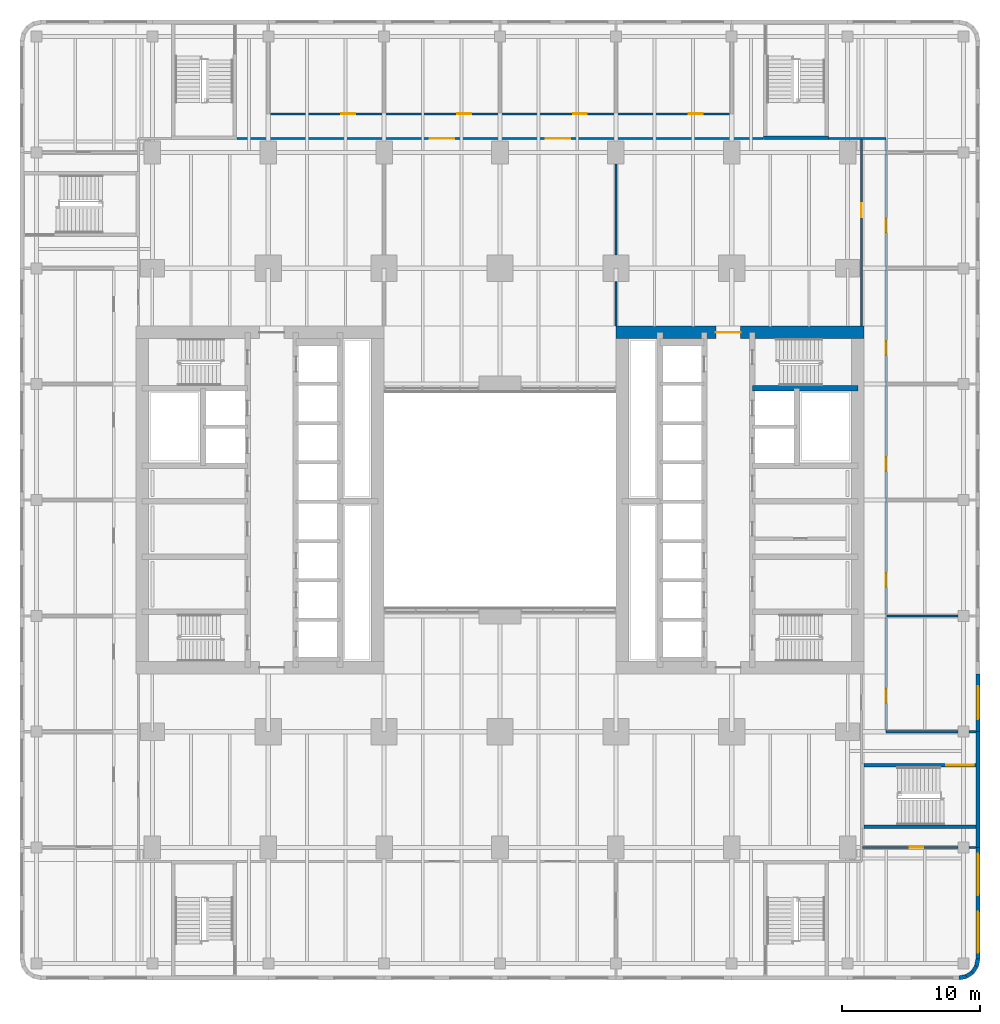
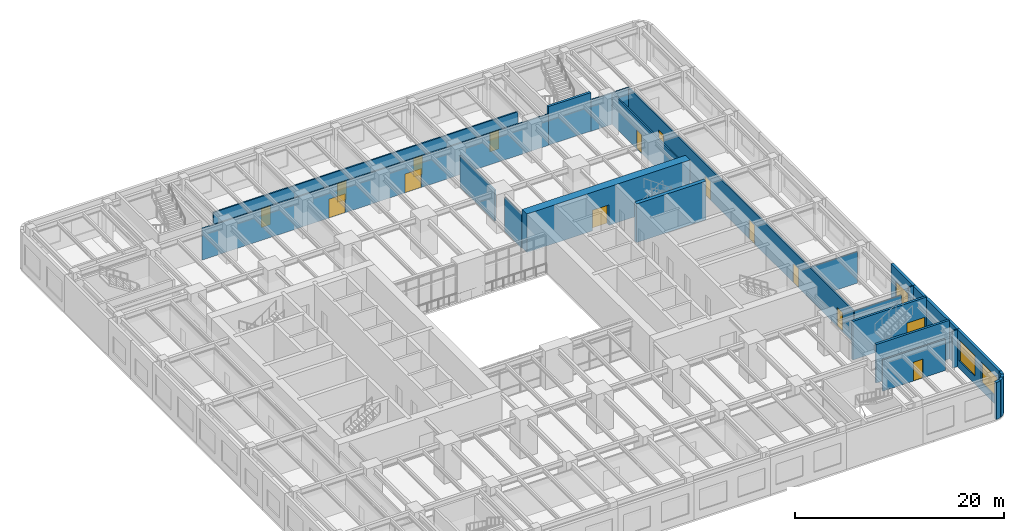
# One storey, part 13 of 26: 24 walls, 15 doors, 3 windows, 18 openings.
"""IFC4 building model written with IfcOpenShell, lengths in metres."""

import ifcopenshell
import ifcopenshell.guid

model = None  # the IFC model being written
_history = None  # IfcOwnerHistory: only IFC2X3 demands one
_inside = {}  # id of a spatial element -> (the spatial element, [elements in it])
_under = {}  # id of a project, library or spatial element -> (it, [spatial elements below it])
_declared = {}  # id of a project -> (the project, [libraries it declares])
_typed = {}  # id of a type object -> (the type object, [elements of that type])
_made_of = {}  # id of a material, layer set ... -> (it, [elements and type objects made of it])


def new_model(schema):
    """Start an empty IFC model of exactly this schema.

    Asked for "IFC4X3", IfcOpenShell would pick the latest addendum, in which some entities
    have other attributes; the version numbers below select the first issue.
    IFC2X3 requires an IfcOwnerHistory on every rooted entity: one is made here for all.
    """
    global model, _history
    if schema == "IFC4X3":
        model = ifcopenshell.file(schema_version=(4, 3, 0, 0))
    else:
        model = ifcopenshell.file(schema=schema)
    _inside.clear()
    _under.clear()
    _declared.clear()
    _typed.clear()
    _made_of.clear()
    _history = None
    if model.schema == "IFC2X3":
        org = make("IfcOrganization", Name="unknown")
        user = make(
            "IfcPersonAndOrganization",
            ThePerson=make("IfcPerson", FamilyName="unknown"),
            TheOrganization=org,
        )
        app = make(
            "IfcApplication",
            ApplicationDeveloper=org,
            Version="unknown",
            ApplicationFullName="unknown",
            ApplicationIdentifier="unknown",
        )
        _history = make(
            "IfcOwnerHistory",
            OwningUser=user,
            OwningApplication=app,
            ChangeAction="ADDED",
            CreationDate=0,
        )
    return model


def make(cls, **values):
    """One entity of the class cls with the attributes given. An attribute that is None is left unset."""
    return model.create_entity(
        cls, **{name: value for name, value in values.items() if value is not None}
    )


def rooted(cls, **values):
    """An entity with a GlobalId (a new one), such as an element, a storey or a relation."""
    return make(cls, GlobalId=ifcopenshell.guid.new(), OwnerHistory=_history, **values)


def si_unit(unit_type, name, prefix=None):
    """IfcSIUnit, for example si_unit("LENGTHUNIT", "METRE", prefix="MILLI")."""
    return make("IfcSIUnit", UnitType=unit_type, Prefix=prefix, Name=name)


def assignment(units):
    """IfcUnitAssignment: the units of a project."""
    return None if units is None else make("IfcUnitAssignment", Units=units)


def point(xyz):
    """IfcCartesianPoint."""
    return None if xyz is None else make("IfcCartesianPoint", Coordinates=xyz)


def direction(xyz):
    """IfcDirection."""
    return None if xyz is None else make("IfcDirection", DirectionRatios=xyz)


def frame(location, z_axis=None, x_axis=None):
    """IfcAxis2Placement3D, a coordinate frame: its origin and axes. An axis left out is left unset."""
    return make(
        "IfcAxis2Placement3D",
        Location=point(location),
        Axis=direction(z_axis),
        RefDirection=direction(x_axis),
    )


def frame_2d(location, x_axis=None):
    """IfcAxis2Placement2D, a coordinate frame in the plane: its origin and x axis."""
    return make(
        "IfcAxis2Placement2D", Location=point(location), RefDirection=direction(x_axis)
    )


def origin():
    """The frame at (0, 0, 0) with its axes left unset."""
    return frame((0.0, 0.0, 0.0))


def place(relative_to, where):
    """IfcLocalPlacement: puts the frame where relative to a parent placement (None: the world)."""
    return make(
        "IfcLocalPlacement", PlacementRelTo=relative_to, RelativePlacement=where
    )


def context(
    kind, dimensions, precision=None, world=None, true_north=None, identifier=None
):
    """IfcGeometricRepresentationContext, for example the 3D "Model" context."""
    return make(
        "IfcGeometricRepresentationContext",
        ContextIdentifier=identifier,
        ContextType=kind,
        CoordinateSpaceDimension=dimensions,
        Precision=precision,
        WorldCoordinateSystem=world,
        TrueNorth=true_north,
    )


def subcontext(parent, identifier, kind, view, scale=None):
    """IfcGeometricRepresentationSubContext, for example "Body" below "Model"."""
    return make(
        "IfcGeometricRepresentationSubContext",
        ContextIdentifier=identifier,
        ContextType=kind,
        ParentContext=parent,
        TargetScale=scale,
        TargetView=view,
    )


def project(units=None, contexts=None):
    """IfcProject with its units and contexts."""
    return rooted(
        "IfcProject",
        Name="project",
        RepresentationContexts=contexts,
        UnitsInContext=assignment(units),
    )


def spatial(cls, under=None, at=None, **own):
    """A site, building, storey or space (cls), placed at a placement, below another one or the project."""
    s = rooted(cls, ObjectPlacement=at, **own)
    if under is not None:
        _under.setdefault(under.id(), (under, []))[1].append(s)
    return s


def profile(cls, at=None, kind="AREA", **sizes):
    """A parametric profile (cls). Its sizes go by their IFC names, for example OverallWidth=200.0."""
    return make(cls, ProfileType=kind, Position=at, **sizes)


def rectangle(**sizes):
    """IfcRectangleProfileDef."""
    return profile("IfcRectangleProfileDef", **sizes)


def extrude(swept, where, along, depth):
    """IfcExtrudedAreaSolid: the profile swept, set in the frame where, extruded along a direction by depth."""
    return make(
        "IfcExtrudedAreaSolid",
        SweptArea=swept,
        Position=where,
        ExtrudedDirection=direction(along),
        Depth=depth,
    )


def shape(context_of_items, identifier, shape_type, items):
    """IfcShapeRepresentation: the items that make up one representation, for example the "Body"."""
    return make(
        "IfcShapeRepresentation",
        ContextOfItems=context_of_items,
        RepresentationIdentifier=identifier,
        RepresentationType=shape_type,
        Items=items,
    )


def material(Name=None, Category=None):
    """IfcMaterial."""
    return make("IfcMaterial", Name=Name, Category=Category)


def layer(
    of_material, thickness, ventilated=None, Name=None, Category=None, Priority=None
):
    """IfcMaterialLayer: one layer of a wall or slab, of a material (None: an air gap)."""
    return make(
        "IfcMaterialLayer",
        Material=of_material,
        LayerThickness=thickness,
        IsVentilated=ventilated,
        Name=Name,
        Category=Category,
        Priority=Priority,
    )


def layer_set(layers, Name=None):
    """IfcMaterialLayerSet."""
    return make("IfcMaterialLayerSet", MaterialLayers=layers, LayerSetName=Name)


def made_of(thing, what):
    """Note that an element or type object is made of a material, layer set ...; save() writes the relation."""
    if what is not None:
        _made_of.setdefault(what.id(), (what, []))[1].append(thing)
    return thing


def type_object(cls, material=None, **own):
    """A type object (cls), such as IfcWallType, which elements share."""
    return made_of(rooted(cls, **own), material)


def element(
    cls,
    number,
    at=None,
    inside=None,
    cuts=None,
    type_object=None,
    material=None,
    context=None,
    identifier="Body",
    shape_type=None,
    held_by="IfcProductDefinitionShape",
    body=None,
    shapes=None,
    **own,
):
    """One element of the class cls, such as IfcWall. Its Tag is "e" and its number.

    at: its placement. inside: the storey or other place that contains it. cuts: it is an
    opening in that element (IfcRelVoidsElement). A single representation is given by context,
    identifier, shape_type and body (its items); several are given by shapes. held_by: the class
    of the entity that holds the representations. save() writes the other relations.
    """
    e = rooted(cls, Tag="e%d" % number, ObjectPlacement=at, **own)
    if body is not None:
        shapes = [shape(context, identifier, shape_type, body)]
    if shapes is not None:
        e.Representation = make(held_by, Representations=shapes)
    if inside is not None:
        _inside.setdefault(inside.id(), (inside, []))[1].append(e)
    if cuts is not None:
        rooted(
            "IfcRelVoidsElement", RelatingBuildingElement=cuts, RelatedOpeningElement=e
        )
    if type_object is not None:
        _typed.setdefault(type_object.id(), (type_object, []))[1].append(e)
    return made_of(e, material)


def fill(opening, filler):
    """IfcRelFillsElement: the door or window that sits in an opening."""
    return rooted(
        "IfcRelFillsElement",
        RelatingOpeningElement=opening,
        RelatedBuildingElement=filler,
    )


def aggregate(whole, parts):
    """IfcRelAggregates: a whole, such as a stair, and the parts it consists of."""
    return rooted("IfcRelAggregates", RelatingObject=whole, RelatedObjects=parts)


def save(model, path):
    """Write the relations noted so far, then the file.

    IfcRelAggregates (storeys below a building ...), IfcRelContainedInSpatialStructure (elements
    in a storey), IfcRelDefinesByType, IfcRelAssociatesMaterial and IfcRelDeclares: one each for
    every whole, place, type object, material and project.
    """
    for whole, parts in _under.values():
        aggregate(whole, parts)
    for where, things in _inside.values():
        rooted(
            "IfcRelContainedInSpatialStructure",
            RelatedElements=things,
            RelatingStructure=where,
        )
    for kind, things in _typed.values():
        rooted("IfcRelDefinesByType", RelatedObjects=things, RelatingType=kind)
    for what, things in _made_of.values():
        rooted("IfcRelAssociatesMaterial", RelatedObjects=things, RelatingMaterial=what)
    for by, libraries in _declared.values():
        rooted("IfcRelDeclares", RelatingContext=by, RelatedDefinitions=libraries)
    model.write(path)


model = new_model("IFC4")

# Units and contexts
model_context = context("Model", 3, precision=1e-05, world=origin(), true_north=direction((0.0, 1.0)))
body_context = subcontext(model_context, "Body", "Model", "MODEL_VIEW")
ifc_project = project(units=[si_unit("LENGTHUNIT", "METRE"), si_unit("AREAUNIT", "SQUARE_METRE"), si_unit("VOLUMEUNIT", "CUBIC_METRE"), si_unit("PLANEANGLEUNIT", "RADIAN"), si_unit("MASSUNIT", "GRAM", prefix="KILO")], contexts=[model_context])

# Site, building, storey
site_placement = place(None, origin())
site = spatial("IfcSite", under=ifc_project, at=site_placement, CompositionType="ELEMENT")
building_placement = place(site_placement, origin())
building = spatial("IfcBuilding", under=site, at=building_placement, Name="Claustro Exchange Tower", CompositionType="ELEMENT")
storey_placement = place(building_placement, frame((0.0, 0.0, 9.89990234375)))
storey = spatial("IfcBuildingStorey", under=building, at=storey_placement, Name="L02", CompositionType="ELEMENT", Elevation=9.89990234375)

# Wall, opening, door
ifc_material_1 = material(Name="Gypsum board on steel studs", Category="steel")
ifc_layer_1 = layer(ifc_material_1, 0.14990234375)
ifc_layer_set_1 = layer_set([ifc_layer_1], Name="Gypsum board on steel studs")
wall_type_1 = type_object("IfcWallType", Name="P1 150 plasterboard partition", PredefinedType="PARTITIONING", material=ifc_layer_set_1)
wall_1_placement = place(storey_placement, frame((51.47412109375, 0.0, 0.0), z_axis=(0.0, 0.0, 1.0), x_axis=(1.0, 0.0, 0.0)))
wall_1 = element("IfcWall", 1, at=wall_1_placement, inside=storey, type_object=wall_type_1, Name="Partition P1 L02", PredefinedType="PARTITIONING", context=body_context, shape_type="SweptSolid", body=[
    extrude(rectangle(XDim=6.9267578125, YDim=0.14990234375, at=frame_2d((3.46337890625, 0.0))), origin(), (0.0, 0.0, 1.0), 3.650146484375),
])
opening_1_placement = place(wall_1_placement, frame((3.426025390625, 0.0, 0.0)))
opening_1 = element("IfcOpeningElement", 2, at=opening_1_placement, cuts=wall_1, Name="Opening D1", PredefinedType="OPENING", context=body_context, shape_type="SweptSolid", body=[
    extrude(rectangle(XDim=1.0, YDim=2.199951171875, at=frame_2d((0.5, 1.10009765625))), frame((0.0, 0.0849609375, 0.0), z_axis=(0.0, -1.0, 0.0), x_axis=(1.0, 0.0, 0.0)), (0.0, 0.0, 1.0), 0.169921875),
])
ifc_material_2 = material(Name="Timber door, oak veneer", Category="wood")
door_type_1 = type_object("IfcDoorType", Name="D1 1000 x 2200 single door", OperationType="SINGLE_SWING_LEFT", PredefinedType="DOOR", material=ifc_material_2)
door_1_placement = place(opening_1_placement, origin())
door_1 = element("IfcDoor", 3, at=door_1_placement, inside=storey, type_object=door_type_1, Name="Door D1 L02", OperationType="SINGLE_SWING_LEFT", OverallHeight=2.199951171875, OverallWidth=1.0, PredefinedType="DOOR", context=body_context, shape_type="SweptSolid", body=[
    extrude(rectangle(XDim=1.0, YDim=2.199951171875, at=frame_2d((0.5, 1.10009765625))), frame((0.0, 0.02490234375, 0.0), z_axis=(0.0, -1.0, 0.0), x_axis=(1.0, 0.0, 0.0)), (0.0, 0.0, 1.0), 0.050048828125),
])
fill(opening_1, door_1)

# Wall
wall_2_placement = place(storey_placement, frame((59.198974609375, 0.0, 0.0), z_axis=(0.0, 0.0, 1.0), x_axis=(1.0, 0.0, 0.0)))
element("IfcWall", 4, at=wall_2_placement, inside=storey, type_object=wall_type_1, Name="Partition P1 L02", PredefinedType="PARTITIONING", context=body_context, shape_type="SweptSolid", body=[
    extrude(rectangle(XDim=0.5029296875, YDim=0.14990234375, at=frame_2d((0.25146484375, 0.0))), origin(), (0.0, 0.0, 1.0), 4.300048828125),
])

# Wall, openings, doors
wall_3_placement = place(storey_placement, frame((6.1201171875, 51.39990234375, 0.0), z_axis=(0.0, 0.0, 1.0), x_axis=(1.0, 0.0, 0.0)))
wall_3 = element("IfcWall", 5, at=wall_3_placement, inside=storey, type_object=wall_type_1, Name="Partition P1 L02", PredefinedType="PARTITIONING", context=body_context, shape_type="SweptSolid", body=[
    extrude(rectangle(XDim=38.159912109375, YDim=0.14990234375, at=frame_2d((19.080078125, 0.0))), origin(), (0.0, 0.0, 1.0), 3.650146484375),
])
opening_2_placement = place(wall_3_placement, frame((13.97998046875, 0.0, 0.0)))
opening_2 = element("IfcOpeningElement", 6, at=opening_2_placement, cuts=wall_3, Name="Opening D2", PredefinedType="OPENING", context=body_context, shape_type="SweptSolid", body=[
    extrude(rectangle(XDim=1.800048828125, YDim=2.199951171875, at=frame_2d((0.89990234375, 1.10009765625))), frame((0.0, 0.0849609375, 0.0), z_axis=(0.0, -1.0, 0.0), x_axis=(1.0, 0.0, 0.0)), (0.0, 0.0, 1.0), 0.169921875),
])
opening_3_placement = place(wall_3_placement, frame((22.3798828125, 0.0, 0.0)))
opening_3 = element("IfcOpeningElement", 7, at=opening_3_placement, cuts=wall_3, Name="Opening D2", PredefinedType="OPENING", context=body_context, shape_type="SweptSolid", body=[
    extrude(rectangle(XDim=1.800048828125, YDim=2.199951171875, at=frame_2d((0.89990234375, 1.10009765625))), frame((0.0, 0.0849609375, 0.0), z_axis=(0.0, -1.0, 0.0), x_axis=(1.0, 0.0, 0.0)), (0.0, 0.0, 1.0), 0.169921875),
])
ifc_material_3 = material(Name="Timber door, oak veneer", Category="wood")
door_type_2 = type_object("IfcDoorType", Name="D2 1800 x 2200 double door", OperationType="DOUBLE_DOOR_SINGLE_SWING", PredefinedType="DOOR", material=ifc_material_3)
door_2_placement = place(opening_2_placement, frame((1.800048828125, 0.0, 0.0), z_axis=(0.0, 0.0, 1.0), x_axis=(-1.0, 0.0, 0.0)))
door_2 = element("IfcDoor", 8, at=door_2_placement, inside=storey, type_object=door_type_2, Name="Double door D2 L02", OperationType="DOUBLE_DOOR_SINGLE_SWING", OverallHeight=2.199951171875, OverallWidth=1.800048828125, PredefinedType="DOOR", context=body_context, shape_type="SweptSolid", body=[
    extrude(rectangle(XDim=1.800048828125, YDim=2.199951171875, at=frame_2d((0.89990234375, 1.10009765625))), frame((0.0, 0.02490234375, 0.0), z_axis=(0.0, -1.0, 0.0), x_axis=(1.0, 0.0, 0.0)), (0.0, 0.0, 1.0), 0.050048828125),
])
fill(opening_2, door_2)
door_3_placement = place(opening_3_placement, frame((1.800048828125, 0.0, 0.0), z_axis=(0.0, 0.0, 1.0), x_axis=(-1.0, 0.0, 0.0)))
door_3 = element("IfcDoor", 9, at=door_3_placement, inside=storey, type_object=door_type_2, Name="Double door D2 L02", OperationType="DOUBLE_DOOR_SINGLE_SWING", OverallHeight=2.199951171875, OverallWidth=1.800048828125, PredefinedType="DOOR", context=body_context, shape_type="SweptSolid", body=[
    extrude(rectangle(XDim=1.800048828125, YDim=2.199951171875, at=frame_2d((0.89990234375, 1.10009765625))), frame((0.0, 0.02490234375, 0.0), z_axis=(0.0, -1.0, 0.0), x_axis=(1.0, 0.0, 0.0)), (0.0, 0.0, 1.0), 0.050048828125),
])
fill(opening_3, door_3)

# Wall
wall_4_placement = place(storey_placement, frame((49.02001953125, 51.39990234375, 0.0), z_axis=(0.0, 0.0, 1.0), x_axis=(1.0, 0.0, 0.0)))
element("IfcWall", 10, at=wall_4_placement, inside=storey, type_object=wall_type_1, Name="Partition P1 L02", PredefinedType="PARTITIONING", context=body_context, shape_type="SweptSolid", body=[
    extrude(rectangle(XDim=4.179931640625, YDim=0.14990234375, at=frame_2d((2.08984375, 0.0))), origin(), (0.0, 0.0, 1.0), 3.650146484375),
])

# Wall, opening, door
wall_5_placement = place(storey_placement, frame((51.39990234375, 37.800048828125, 0.0), z_axis=(0.0, 0.0, 1.0), x_axis=(0.0, 1.0, 0.0)))
wall_5 = element("IfcWall", 11, at=wall_5_placement, inside=storey, type_object=wall_type_1, Name="Partition P1 L02", PredefinedType="PARTITIONING", context=body_context, shape_type="SweptSolid", body=[
    extrude(rectangle(XDim=13.52587890625, YDim=0.14990234375, at=frame_2d((6.762939453125, 0.0))), origin(), (0.0, 0.0, 1.0), 3.650146484375),
])
opening_4_placement = place(wall_5_placement, frame((7.89990234375, 0.0, 0.0)))
opening_4 = element("IfcOpeningElement", 12, at=opening_4_placement, cuts=wall_5, Name="Opening D1", PredefinedType="OPENING", context=body_context, shape_type="SweptSolid", body=[
    extrude(rectangle(XDim=1.0, YDim=2.199951171875, at=frame_2d((0.5, 1.10009765625))), frame((0.0, 0.0849609375, 0.0), z_axis=(0.0, -1.0, 0.0), x_axis=(1.0, 0.0, 0.0)), (0.0, 0.0, 1.0), 0.169921875),
])
door_4_placement = place(opening_4_placement, origin())
door_4 = element("IfcDoor", 13, at=door_4_placement, inside=storey, type_object=door_type_1, Name="Door D1 L02", OperationType="SINGLE_SWING_RIGHT", OverallHeight=2.199951171875, OverallWidth=1.0, PredefinedType="DOOR", context=body_context, shape_type="SweptSolid", body=[
    extrude(rectangle(XDim=1.0, YDim=2.199951171875, at=frame_2d((0.5, 1.10009765625))), frame((0.0, 0.02490234375, 0.0), z_axis=(0.0, -1.0, 0.0), x_axis=(1.0, 0.0, 0.0)), (0.0, 0.0, 1.0), 0.050048828125),
])
fill(opening_4, door_4)

# Walls
wall_6_placement = place(storey_placement, frame((33.60009765625, 37.820068359375, 0.0), z_axis=(0.0, 0.0, 1.0), x_axis=(0.0, 1.0, 0.0)))
element("IfcWall", 14, at=wall_6_placement, inside=storey, type_object=wall_type_1, Name="Partition P1 L02", PredefinedType="PARTITIONING", context=body_context, shape_type="SweptSolid", body=[
    extrude(rectangle(XDim=3.23095703125, YDim=0.14990234375, at=frame_2d((1.615478515625, 0.0))), origin(), (0.0, 0.0, 1.0), 3.940185546875),
])
wall_7_placement = place(storey_placement, frame((33.60009765625, 42.948974609375, 0.0), z_axis=(0.0, 0.0, 1.0), x_axis=(0.0, 1.0, 0.0)))
element("IfcWall", 15, at=wall_7_placement, inside=storey, type_object=wall_type_1, Name="Partition P1 L02", PredefinedType="PARTITIONING", context=body_context, shape_type="SweptSolid", body=[
    extrude(rectangle(XDim=6.626953125, YDim=0.14990234375, at=frame_2d((3.3134765625, 0.0))), origin(), (0.0, 0.0, 1.0), 3.650146484375),
])

# Wall, openings, doors
wall_8_placement = place(storey_placement, frame((8.39990234375, 53.199951171875, 0.0), z_axis=(0.0, 0.0, 1.0), x_axis=(1.0, 0.0, 0.0)))
wall_8 = element("IfcWall", 16, at=wall_8_placement, inside=storey, type_object=wall_type_1, Name="Partition P1 L02", PredefinedType="PARTITIONING", context=body_context, shape_type="SweptSolid", body=[
    extrude(rectangle(XDim=33.60009765625, YDim=0.14990234375, at=frame_2d((16.800048828125, 0.0))), origin(), (0.0, 0.0, 1.0), 3.650146484375),
])
opening_5_placement = place(wall_8_placement, frame((5.300048828125, 0.0, 0.0)))
opening_5 = element("IfcOpeningElement", 17, at=opening_5_placement, cuts=wall_8, Name="Opening D1", PredefinedType="OPENING", context=body_context, shape_type="SweptSolid", body=[
    extrude(rectangle(XDim=1.0, YDim=2.199951171875, at=frame_2d((0.5, 1.10009765625))), frame((0.0, 0.0849609375, 0.0), z_axis=(0.0, -1.0, 0.0), x_axis=(1.0, 0.0, 0.0)), (0.0, 0.0, 1.0), 0.169921875),
])
opening_6_placement = place(wall_8_placement, frame((13.699951171875, 0.0, 0.0)))
opening_6 = element("IfcOpeningElement", 18, at=opening_6_placement, cuts=wall_8, Name="Opening D1", PredefinedType="OPENING", context=body_context, shape_type="SweptSolid", body=[
    extrude(rectangle(XDim=1.0, YDim=2.199951171875, at=frame_2d((0.5, 1.10009765625))), frame((0.0, 0.0849609375, 0.0), z_axis=(0.0, -1.0, 0.0), x_axis=(1.0, 0.0, 0.0)), (0.0, 0.0, 1.0), 0.169921875),
])
opening_7_placement = place(wall_8_placement, frame((22.10009765625, 0.0, 0.0)))
opening_7 = element("IfcOpeningElement", 19, at=opening_7_placement, cuts=wall_8, Name="Opening D1", PredefinedType="OPENING", context=body_context, shape_type="SweptSolid", body=[
    extrude(rectangle(XDim=1.0, YDim=2.199951171875, at=frame_2d((0.5, 1.10009765625))), frame((0.0, 0.0849609375, 0.0), z_axis=(0.0, -1.0, 0.0), x_axis=(1.0, 0.0, 0.0)), (0.0, 0.0, 1.0), 0.169921875),
])
opening_8_placement = place(wall_8_placement, frame((30.5, 0.0, 0.0)))
opening_8 = element("IfcOpeningElement", 20, at=opening_8_placement, cuts=wall_8, Name="Opening D1", PredefinedType="OPENING", context=body_context, shape_type="SweptSolid", body=[
    extrude(rectangle(XDim=1.0, YDim=2.199951171875, at=frame_2d((0.5, 1.10009765625))), frame((0.0, 0.0849609375, 0.0), z_axis=(0.0, -1.0, 0.0), x_axis=(1.0, 0.0, 0.0)), (0.0, 0.0, 1.0), 0.169921875),
])
door_5_placement = place(opening_5_placement, frame((1.0, 0.0, 0.0), z_axis=(0.0, 0.0, 1.0), x_axis=(-1.0, 0.0, 0.0)))
door_5 = element("IfcDoor", 21, at=door_5_placement, inside=storey, type_object=door_type_1, Name="Door D1 L02", OperationType="SINGLE_SWING_LEFT", OverallHeight=2.199951171875, OverallWidth=1.0, PredefinedType="DOOR", context=body_context, shape_type="SweptSolid", body=[
    extrude(rectangle(XDim=1.0, YDim=2.199951171875, at=frame_2d((0.5, 1.10009765625))), frame((0.0, 0.02490234375, 0.0), z_axis=(0.0, -1.0, 0.0), x_axis=(1.0, 0.0, 0.0)), (0.0, 0.0, 1.0), 0.050048828125),
])
fill(opening_5, door_5)
door_6_placement = place(opening_6_placement, frame((1.0, 0.0, 0.0), z_axis=(0.0, 0.0, 1.0), x_axis=(-1.0, 0.0, 0.0)))
door_6 = element("IfcDoor", 22, at=door_6_placement, inside=storey, type_object=door_type_1, Name="Door D1 L02", OperationType="SINGLE_SWING_LEFT", OverallHeight=2.199951171875, OverallWidth=1.0, PredefinedType="DOOR", context=body_context, shape_type="SweptSolid", body=[
    extrude(rectangle(XDim=1.0, YDim=2.199951171875, at=frame_2d((0.5, 1.10009765625))), frame((0.0, 0.02490234375, 0.0), z_axis=(0.0, -1.0, 0.0), x_axis=(1.0, 0.0, 0.0)), (0.0, 0.0, 1.0), 0.050048828125),
])
fill(opening_6, door_6)
door_7_placement = place(opening_7_placement, frame((1.0, 0.0, 0.0), z_axis=(0.0, 0.0, 1.0), x_axis=(-1.0, 0.0, 0.0)))
door_7 = element("IfcDoor", 23, at=door_7_placement, inside=storey, type_object=door_type_1, Name="Door D1 L02", OperationType="SINGLE_SWING_LEFT", OverallHeight=2.199951171875, OverallWidth=1.0, PredefinedType="DOOR", context=body_context, shape_type="SweptSolid", body=[
    extrude(rectangle(XDim=1.0, YDim=2.199951171875, at=frame_2d((0.5, 1.10009765625))), frame((0.0, 0.02490234375, 0.0), z_axis=(0.0, -1.0, 0.0), x_axis=(1.0, 0.0, 0.0)), (0.0, 0.0, 1.0), 0.050048828125),
])
fill(opening_7, door_7)
door_8_placement = place(opening_8_placement, frame((1.0, 0.0, 0.0), z_axis=(0.0, 0.0, 1.0), x_axis=(-1.0, 0.0, 0.0)))
door_8 = element("IfcDoor", 24, at=door_8_placement, inside=storey, type_object=door_type_1, Name="Door D1 L02", OperationType="SINGLE_SWING_LEFT", OverallHeight=2.199951171875, OverallWidth=1.0, PredefinedType="DOOR", context=body_context, shape_type="SweptSolid", body=[
    extrude(rectangle(XDim=1.0, YDim=2.199951171875, at=frame_2d((0.5, 1.10009765625))), frame((0.0, 0.02490234375, 0.0), z_axis=(0.0, -1.0, 0.0), x_axis=(1.0, 0.0, 0.0)), (0.0, 0.0, 1.0), 0.050048828125),
])
fill(opening_8, door_8)

wall_9_placement = place(storey_placement, frame((53.199951171875, 8.39990234375, 0.0), z_axis=(0.0, 0.0, 1.0), x_axis=(0.0, 1.0, 0.0)))
wall_9 = element("IfcWall", 25, at=wall_9_placement, inside=storey, type_object=wall_type_1, Name="Partition P1 L02", PredefinedType="PARTITIONING", context=body_context, shape_type="SweptSolid", body=[
    extrude(rectangle(XDim=42.926025390625, YDim=0.14990234375, at=frame_2d((21.462890625, 0.0))), origin(), (0.0, 0.0, 1.0), 3.650146484375),
])
opening_9_placement = place(wall_9_placement, frame((2.10009765625, 0.0, 0.0)))
opening_9 = element("IfcOpeningElement", 26, at=opening_9_placement, cuts=wall_9, Name="Opening D1", PredefinedType="OPENING", context=body_context, shape_type="SweptSolid", body=[
    extrude(rectangle(XDim=1.0, YDim=2.199951171875, at=frame_2d((0.5, 1.10009765625))), frame((0.0, 0.0849609375, 0.0), z_axis=(0.0, -1.0, 0.0), x_axis=(1.0, 0.0, 0.0)), (0.0, 0.0, 1.0), 0.169921875),
])
opening_10_placement = place(wall_9_placement, frame((10.5, 0.0, 0.0)))
opening_10 = element("IfcOpeningElement", 27, at=opening_10_placement, cuts=wall_9, Name="Opening D1", PredefinedType="OPENING", context=body_context, shape_type="SweptSolid", body=[
    extrude(rectangle(XDim=1.0, YDim=2.199951171875, at=frame_2d((0.5, 1.10009765625))), frame((0.0, 0.0849609375, 0.0), z_axis=(0.0, -1.0, 0.0), x_axis=(1.0, 0.0, 0.0)), (0.0, 0.0, 1.0), 0.169921875),
])
opening_11_placement = place(wall_9_placement, frame((18.89990234375, 0.0, 0.0)))
opening_11 = element("IfcOpeningElement", 28, at=opening_11_placement, cuts=wall_9, Name="Opening D1", PredefinedType="OPENING", context=body_context, shape_type="SweptSolid", body=[
    extrude(rectangle(XDim=1.0, YDim=2.199951171875, at=frame_2d((0.5, 1.10009765625))), frame((0.0, 0.0849609375, 0.0), z_axis=(0.0, -1.0, 0.0), x_axis=(1.0, 0.0, 0.0)), (0.0, 0.0, 1.0), 0.169921875),
])
opening_12_placement = place(wall_9_placement, frame((27.300048828125, 0.0, 0.0)))
opening_12 = element("IfcOpeningElement", 29, at=opening_12_placement, cuts=wall_9, Name="Opening D1", PredefinedType="OPENING", context=body_context, shape_type="SweptSolid", body=[
    extrude(rectangle(XDim=1.0, YDim=2.199951171875, at=frame_2d((0.5, 1.10009765625))), frame((0.0, 0.0849609375, 0.0), z_axis=(0.0, -1.0, 0.0), x_axis=(1.0, 0.0, 0.0)), (0.0, 0.0, 1.0), 0.169921875),
])
opening_13_placement = place(wall_9_placement, frame((36.199951171875, 0.0, 0.0)))
opening_13 = element("IfcOpeningElement", 30, at=opening_13_placement, cuts=wall_9, Name="Opening D1", PredefinedType="OPENING", context=body_context, shape_type="SweptSolid", body=[
    extrude(rectangle(XDim=1.0, YDim=2.199951171875, at=frame_2d((0.5, 1.10009765625))), frame((0.0, 0.0849609375, 0.0), z_axis=(0.0, -1.0, 0.0), x_axis=(1.0, 0.0, 0.0)), (0.0, 0.0, 1.0), 0.169921875),
])
door_9_placement = place(opening_9_placement, origin())
door_9 = element("IfcDoor", 31, at=door_9_placement, inside=storey, type_object=door_type_1, Name="Door D1 L02", OperationType="SINGLE_SWING_RIGHT", OverallHeight=2.199951171875, OverallWidth=1.0, PredefinedType="DOOR", context=body_context, shape_type="SweptSolid", body=[
    extrude(rectangle(XDim=1.0, YDim=2.199951171875, at=frame_2d((0.5, 1.10009765625))), frame((0.0, 0.02490234375, 0.0), z_axis=(0.0, -1.0, 0.0), x_axis=(1.0, 0.0, 0.0)), (0.0, 0.0, 1.0), 0.050048828125),
])
fill(opening_9, door_9)
door_10_placement = place(opening_10_placement, origin())
door_10 = element("IfcDoor", 32, at=door_10_placement, inside=storey, type_object=door_type_1, Name="Door D1 L02", OperationType="SINGLE_SWING_LEFT", OverallHeight=2.199951171875, OverallWidth=1.0, PredefinedType="DOOR", context=body_context, shape_type="SweptSolid", body=[
    extrude(rectangle(XDim=1.0, YDim=2.199951171875, at=frame_2d((0.5, 1.10009765625))), frame((0.0, 0.02490234375, 0.0), z_axis=(0.0, -1.0, 0.0), x_axis=(1.0, 0.0, 0.0)), (0.0, 0.0, 1.0), 0.050048828125),
])
fill(opening_10, door_10)
door_11_placement = place(opening_11_placement, origin())
door_11 = element("IfcDoor", 33, at=door_11_placement, inside=storey, type_object=door_type_1, Name="Door D1 L02", OperationType="SINGLE_SWING_LEFT", OverallHeight=2.199951171875, OverallWidth=1.0, PredefinedType="DOOR", context=body_context, shape_type="SweptSolid", body=[
    extrude(rectangle(XDim=1.0, YDim=2.199951171875, at=frame_2d((0.5, 1.10009765625))), frame((0.0, 0.02490234375, 0.0), z_axis=(0.0, -1.0, 0.0), x_axis=(1.0, 0.0, 0.0)), (0.0, 0.0, 1.0), 0.050048828125),
])
fill(opening_11, door_11)
door_12_placement = place(opening_12_placement, origin())
door_12 = element("IfcDoor", 34, at=door_12_placement, inside=storey, type_object=door_type_1, Name="Door D1 L02", OperationType="SINGLE_SWING_LEFT", OverallHeight=2.199951171875, OverallWidth=1.0, PredefinedType="DOOR", context=body_context, shape_type="SweptSolid", body=[
    extrude(rectangle(XDim=1.0, YDim=2.199951171875, at=frame_2d((0.5, 1.10009765625))), frame((0.0, 0.02490234375, 0.0), z_axis=(0.0, -1.0, 0.0), x_axis=(1.0, 0.0, 0.0)), (0.0, 0.0, 1.0), 0.050048828125),
])
fill(opening_12, door_12)
door_13_placement = place(opening_13_placement, origin())
door_13 = element("IfcDoor", 35, at=door_13_placement, inside=storey, type_object=door_type_1, Name="Door D1 L02", OperationType="SINGLE_SWING_LEFT", OverallHeight=2.199951171875, OverallWidth=1.0, PredefinedType="DOOR", context=body_context, shape_type="SweptSolid", body=[
    extrude(rectangle(XDim=1.0, YDim=2.199951171875, at=frame_2d((0.5, 1.10009765625))), frame((0.0, 0.02490234375, 0.0), z_axis=(0.0, -1.0, 0.0), x_axis=(1.0, 0.0, 0.0)), (0.0, 0.0, 1.0), 0.050048828125),
])
fill(opening_13, door_13)

# Walls
wall_10_placement = place(storey_placement, frame((53.199951171875, 8.39990234375, 0.0), z_axis=(0.0, 0.0, 1.0), x_axis=(1.0, 0.0, 0.0)))
element("IfcWall", 36, at=wall_10_placement, inside=storey, type_object=wall_type_1, Name="Partition P1 L02", PredefinedType="PARTITIONING", context=body_context, shape_type="SweptSolid", body=[
    extrude(rectangle(XDim=5.200927734375, YDim=0.14990234375, at=frame_2d((2.6005859375, 0.0))), origin(), (0.0, 0.0, 1.0), 3.650146484375),
])
wall_11_placement = place(storey_placement, frame((59.198974609375, 8.39990234375, 0.0), z_axis=(0.0, 0.0, 1.0), x_axis=(1.0, 0.0, 0.0)))
element("IfcWall", 37, at=wall_11_placement, inside=storey, type_object=wall_type_1, Name="Partition P1 L02", PredefinedType="PARTITIONING", context=body_context, shape_type="SweptSolid", body=[
    extrude(rectangle(XDim=0.5029296875, YDim=0.14990234375, at=frame_2d((0.25146484375, 0.0))), origin(), (0.0, 0.0, 1.0), 4.300048828125),
])
wall_12_placement = place(storey_placement, frame((53.27392578125, 16.800048828125, 0.0), z_axis=(0.0, 0.0, 1.0), x_axis=(1.0, 0.0, 0.0)))
element("IfcWall", 38, at=wall_12_placement, inside=storey, type_object=wall_type_1, Name="Partition P1 L02", PredefinedType="PARTITIONING", context=body_context, shape_type="SweptSolid", body=[
    extrude(rectangle(XDim=5.126953125, YDim=0.14990234375, at=frame_2d((2.5634765625, 0.0))), origin(), (0.0, 0.0, 1.0), 3.650146484375),
])

# Wall, opening, window
ifc_material_4 = material(Name="Concrete HA-40 (C40/50), precast, white cement, acid-etched", Category="concrete")
ifc_layer_2 = layer(ifc_material_4, 0.300048828125)
ifc_layer_set_2 = layer_set([ifc_layer_2], Name="Concrete HA-40 (C40/50), precast, white cement, acid-etched")
wall_type_2 = type_object("IfcWallType", Name="PC1 300 precast concrete pier panel", PredefinedType="SOLIDWALL", material=ifc_layer_set_2)
wall_13_placement = place(storey_placement, frame((59.85009765625, 12.60009765625, 0.0), z_axis=(0.0, 0.0, 1.0), x_axis=(0.0, -1.0, 0.0)))
wall_13 = element("IfcWall", 39, at=wall_13_placement, inside=storey, type_object=wall_type_2, Name="Precast pier panel PC1 L02", PredefinedType="SOLIDWALL", context=body_context, shape_type="SweptSolid", body=[
    extrude(rectangle(XDim=4.2001953125, YDim=0.300048828125, at=frame_2d((2.10009765625, 0.0))), origin(), (0.0, 0.0, 1.0), 4.300048828125),
])
opening_14_placement = place(wall_13_placement, frame((0.89990234375, 0.0, 0.89990234375)))
opening_14 = element("IfcOpeningElement", 40, at=opening_14_placement, cuts=wall_13, Name="Opening W2", PredefinedType="OPENING", context=body_context, shape_type="SweptSolid", body=[
    extrude(rectangle(XDim=2.39990234375, YDim=1.89990234375, at=frame_2d((1.199951171875, 0.949951171875))), frame((0.0, 0.159912109375, 0.0), z_axis=(0.0, -1.0, 0.0), x_axis=(1.0, 0.0, 0.0)), (0.0, 0.0, 1.0), 0.320068359375),
])
ifc_material_5 = material(Name="Aluminium frame, clear double glazing", Category="aluminium")
window_type_1 = type_object("IfcWindowType", Name="W2 2400 x 1900 window", PartitioningType="SINGLE_PANEL", PredefinedType="WINDOW", material=ifc_material_5)
window_1_placement = place(opening_14_placement, origin())
window_1 = element("IfcWindow", 41, at=window_1_placement, inside=storey, type_object=window_type_1, Name="Window W2 L02", OverallHeight=1.89990234375, OverallWidth=2.39990234375, PartitioningType="SINGLE_PANEL", PredefinedType="WINDOW", context=body_context, shape_type="SweptSolid", body=[
    extrude(rectangle(XDim=2.39990234375, YDim=1.89990234375, at=frame_2d((1.199951171875, 0.949951171875))), frame((0.0, 0.030029296875, 0.0), z_axis=(0.0, -1.0, 0.0), x_axis=(1.0, 0.0, 0.0)), (0.0, 0.0, 1.0), 0.06005859375),
])
fill(opening_14, window_1)

# Wall
wall_14_placement = place(storey_placement, frame((59.85009765625, 8.39990234375, 0.0), z_axis=(0.0, 0.0, 1.0), x_axis=(0.0, -1.0, 0.0)))
element("IfcWall", 42, at=wall_14_placement, inside=storey, type_object=wall_type_2, Name="Precast pier panel PC1 L02", PredefinedType="SOLIDWALL", context=body_context, shape_type="SweptSolid", body=[
    extrude(rectangle(XDim=8.39990234375, YDim=0.300048828125, at=frame_2d((4.199951171875, 0.0))), origin(), (0.0, 0.0, 1.0), 4.300048828125),
])

# Wall, openings, windows
wall_15_placement = place(storey_placement, frame((59.85009765625, 0.0, 0.0), z_axis=(0.0, 0.0, 1.0), x_axis=(0.0, -1.0, 0.0)))
wall_15 = element("IfcWall", 43, at=wall_15_placement, inside=storey, type_object=wall_type_2, Name="Precast pier panel PC1 L02", PredefinedType="SOLIDWALL", context=body_context, shape_type="SweptSolid", body=[
    extrude(rectangle(XDim=8.085205078125, YDim=0.300048828125, at=frame_2d((4.04248046875, 0.0))), origin(), (0.0, 0.0, 1.0), 4.300048828125),
])
opening_15_placement = place(wall_15_placement, frame((0.442626953125, 0.0, 0.89990234375)))
opening_15 = element("IfcOpeningElement", 44, at=opening_15_placement, cuts=wall_15, Name="Opening W3", PredefinedType="OPENING", context=body_context, shape_type="SweptSolid", body=[
    extrude(rectangle(XDim=3.0, YDim=2.39990234375, at=frame_2d((1.5, 1.199951171875))), frame((0.0, 0.159912109375, 0.0), z_axis=(0.0, -1.0, 0.0), x_axis=(1.0, 0.0, 0.0)), (0.0, 0.0, 1.0), 0.320068359375),
])
opening_16_placement = place(wall_15_placement, frame((4.642578125, 0.0, 0.89990234375)))
opening_16 = element("IfcOpeningElement", 45, at=opening_16_placement, cuts=wall_15, Name="Opening W3", PredefinedType="OPENING", context=body_context, shape_type="SweptSolid", body=[
    extrude(rectangle(XDim=3.0, YDim=2.39990234375, at=frame_2d((1.5, 1.199951171875))), frame((0.0, 0.159912109375, 0.0), z_axis=(0.0, -1.0, 0.0), x_axis=(1.0, 0.0, 0.0)), (0.0, 0.0, 1.0), 0.320068359375),
])
ifc_material_6 = material(Name="Aluminium frame, clear double glazing", Category="aluminium")
window_type_2 = type_object("IfcWindowType", Name="W3 3000 x 2400 window", PartitioningType="SINGLE_PANEL", PredefinedType="WINDOW", material=ifc_material_6)
window_2_placement = place(opening_15_placement, origin())
window_2 = element("IfcWindow", 46, at=window_2_placement, inside=storey, type_object=window_type_2, Name="Window W3 L02", OverallHeight=2.39990234375, OverallWidth=3.0, PartitioningType="SINGLE_PANEL", PredefinedType="WINDOW", context=body_context, shape_type="SweptSolid", body=[
    extrude(rectangle(XDim=3.0, YDim=2.39990234375, at=frame_2d((1.5, 1.199951171875))), frame((0.0, 0.030029296875, 0.0), z_axis=(0.0, -1.0, 0.0), x_axis=(1.0, 0.0, 0.0)), (0.0, 0.0, 1.0), 0.06005859375),
])
fill(opening_15, window_2)
window_3_placement = place(opening_16_placement, origin())
window_3 = element("IfcWindow", 47, at=window_3_placement, inside=storey, type_object=window_type_2, Name="Window W3 L02", OverallHeight=2.39990234375, OverallWidth=3.0, PartitioningType="SINGLE_PANEL", PredefinedType="WINDOW", context=body_context, shape_type="SweptSolid", body=[
    extrude(rectangle(XDim=3.0, YDim=2.39990234375, at=frame_2d((1.5, 1.199951171875))), frame((0.0, 0.030029296875, 0.0), z_axis=(0.0, -1.0, 0.0), x_axis=(1.0, 0.0, 0.0)), (0.0, 0.0, 1.0), 0.06005859375),
])
fill(opening_16, window_3)

# Walls
wall_16_placement = place(storey_placement, frame((59.85009765625, -8.085205078125, 0.0), z_axis=(0.0, 0.0, 1.0), x_axis=(-0.1955082817, -0.980702050465, 0.0)))
element("IfcWall", 48, at=wall_16_placement, inside=storey, type_object=wall_type_2, Name="Precast pier panel PC1 L02", PredefinedType="SOLIDWALL", context=body_context, shape_type="SweptSolid", body=[
    extrude(rectangle(XDim=0.540771484375, YDim=0.300048828125, at=frame_2d((0.2705078125, 0.0))), origin(), (0.0, 0.0, 1.0), 4.300048828125),
])
wall_17_placement = place(storey_placement, frame((59.744384765625, -8.615478515625, 0.0), z_axis=(0.0, 0.0, 1.0), x_axis=(-0.555236195849, -0.831692711774, 0.0)))
element("IfcWall", 49, at=wall_17_placement, inside=storey, type_object=wall_type_2, Name="Precast pier panel PC1 L02", PredefinedType="SOLIDWALL", context=body_context, shape_type="SweptSolid", body=[
    extrude(rectangle(XDim=0.525390625, YDim=0.300048828125, at=frame_2d((0.2626953125, 0.0))), origin(), (0.0, 0.0, 1.0), 4.300048828125),
])
wall_18_placement = place(storey_placement, frame((59.45263671875, -9.052490234375, 0.0), z_axis=(0.0, 0.0, 1.0), x_axis=(-0.831621430339, -0.55534295404, 0.0)))
element("IfcWall", 50, at=wall_18_placement, inside=storey, type_object=wall_type_2, Name="Precast pier panel PC1 L02", PredefinedType="SOLIDWALL", context=body_context, shape_type="SweptSolid", body=[
    extrude(rectangle(XDim=0.52587890625, YDim=0.300048828125, at=frame_2d((0.262939453125, 0.0))), origin(), (0.0, 0.0, 1.0), 4.300048828125),
])
wall_19_placement = place(storey_placement, frame((59.015380859375, -9.344482421875, 0.0), z_axis=(0.0, 0.0, 1.0), x_axis=(-0.980788534345, -0.195073962632, 0.0)))
element("IfcWall", 51, at=wall_19_placement, inside=storey, type_object=wall_type_2, Name="Precast pier panel PC1 L02", PredefinedType="SOLIDWALL", context=body_context, shape_type="SweptSolid", body=[
    extrude(rectangle(XDim=0.540771484375, YDim=0.300048828125, at=frame_2d((0.2705078125, 0.0))), origin(), (0.0, 0.0, 1.0), 4.300048828125),
])

# Wall, opening, door
ifc_material_7 = material(Name="Concrete HA-70 (C70/85)", Category="concrete")
ifc_layer_3 = layer(ifc_material_7, 0.89990234375)
ifc_layer_set_3 = layer_set([ifc_layer_3], Name="Concrete HA-70 (C70/85)")
wall_type_3 = type_object("IfcWallType", Name="SW1 900 core shear wall", PredefinedType="SHEAR", material=ifc_layer_set_3)
wall_20_placement = place(storey_placement, frame((33.60009765625, 37.35009765625, 0.0), z_axis=(0.0, 0.0, 1.0), x_axis=(1.0, 0.0, 0.0)))
wall_20 = element("IfcWall", 52, at=wall_20_placement, inside=storey, type_object=wall_type_3, Name="Core wall SW1 E core N face L02", PredefinedType="SHEAR", context=body_context, shape_type="SweptSolid", body=[
    extrude(rectangle(XDim=18.0, YDim=0.89990234375, at=frame_2d((9.0, 0.0))), origin(), (0.0, 0.0, 1.0), 4.5),
])
opening_17_placement = place(wall_20_placement, frame((7.25, 0.0, 0.0)))
opening_17 = element("IfcOpeningElement", 53, at=opening_17_placement, cuts=wall_20, Name="Opening D3", PredefinedType="OPENING", context=body_context, shape_type="SweptSolid", body=[
    extrude(rectangle(XDim=1.800048828125, YDim=2.39990234375, at=frame_2d((0.89990234375, 1.199951171875))), frame((0.0, 0.4599609375, 0.0), z_axis=(0.0, -1.0, 0.0), x_axis=(1.0, 0.0, 0.0)), (0.0, 0.0, 1.0), 0.919921875),
])
ifc_material_8 = material(Name="Steel fire door, painted", Category="steel")
door_type_3 = type_object("IfcDoorType", Name="D3 1800 x 2400 fire-rated lobby double door", OperationType="DOUBLE_DOOR_SINGLE_SWING", PredefinedType="DOOR", material=ifc_material_8)
door_14_placement = place(opening_17_placement, frame((1.800048828125, 0.0, 0.0), z_axis=(0.0, 0.0, 1.0), x_axis=(-1.0, 0.0, 0.0)))
door_14 = element("IfcDoor", 54, at=door_14_placement, inside=storey, type_object=door_type_3, Name="Lift lobby door D3 L02", OperationType="DOUBLE_DOOR_SINGLE_SWING", OverallHeight=2.39990234375, OverallWidth=1.800048828125, PredefinedType="DOOR", context=body_context, shape_type="SweptSolid", body=[
    extrude(rectangle(XDim=1.800048828125, YDim=2.39990234375, at=frame_2d((0.89990234375, 1.199951171875))), frame((0.0, 0.02490234375, 0.0), z_axis=(0.0, -1.0, 0.0), x_axis=(1.0, 0.0, 0.0)), (0.0, 0.0, 1.0), 0.050048828125),
])
fill(opening_17, door_14)

# Walls
ifc_material_9 = material(Name="Concrete HA-50 (C50/60)", Category="concrete")
ifc_layer_4 = layer(ifc_material_9, 0.39990234375)
ifc_layer_set_4 = layer_set([ifc_layer_4], Name="Concrete HA-50 (C50/60)")
wall_type_4 = type_object("IfcWallType", Name="SW4 400 internal core wall", PredefinedType="SHEAR", material=ifc_layer_set_4)
wall_21_placement = place(storey_placement, frame((51.14990234375, 33.300048828125, 0.0), z_axis=(0.0, 0.0, 1.0), x_axis=(-1.0, 0.0, 0.0)))
element("IfcWall", 55, at=wall_21_placement, inside=storey, type_object=wall_type_4, Name="Internal core wall SW4 E core L02", PredefinedType="SHEAR", context=body_context, shape_type="SweptSolid", body=[
    extrude(rectangle(XDim=7.64990234375, YDim=0.39990234375, at=frame_2d((3.824951171875, 0.0))), origin(), (0.0, 0.0, 1.0), 4.5),
])
ifc_material_10 = material(Name="Concrete HA-40 (C40/50)", Category="concrete")
ifc_layer_5 = layer(ifc_material_10, 0.25)
ifc_layer_set_5 = layer_set([ifc_layer_5], Name="Concrete HA-40 (C40/50)")
wall_type_5 = type_object("IfcWallType", Name="SW7 250 reinforced concrete stair wall", PredefinedType="SOLIDWALL", material=ifc_layer_set_5)
wall_22_placement = place(storey_placement, frame((44.300048828125, 51.47509765625, 0.0), z_axis=(0.0, 0.0, 1.0), x_axis=(1.0, 0.0, 0.0)))
element("IfcWall", 56, at=wall_22_placement, inside=storey, type_object=wall_type_5, Name="Stair enclosure wall STP4 SW7 L02", PredefinedType="SOLIDWALL", context=body_context, shape_type="SweptSolid", body=[
    extrude(rectangle(XDim=4.699951171875, YDim=0.25, at=frame_2d((2.35009765625, 0.0))), origin(), (0.0, 0.0, 1.0), 4.5),
])
wall_23_placement = place(storey_placement, frame((59.701904296875, 1.52490234375, 0.0), z_axis=(0.0, 0.0, 1.0), x_axis=(-1.0, 0.0, 0.0)))
element("IfcWall", 57, at=wall_23_placement, inside=storey, type_object=wall_type_5, Name="Stair enclosure wall STP6 SW7 L02", PredefinedType="SOLIDWALL", context=body_context, shape_type="SweptSolid", body=[
    extrude(rectangle(XDim=8.101806640625, YDim=0.25, at=frame_2d((4.05078125, 0.0))), origin(), (0.0, 0.0, 1.0), 4.5),
])

# Wall, opening, door
wall_24_placement = place(storey_placement, frame((59.701904296875, 5.97509765625, 0.0), z_axis=(0.0, 0.0, 1.0), x_axis=(-1.0, 0.0, 0.0)))
wall_24 = element("IfcWall", 58, at=wall_24_placement, inside=storey, type_object=wall_type_5, Name="Stair enclosure wall STP6 SW7 L02", PredefinedType="SOLIDWALL", context=body_context, shape_type="SweptSolid", body=[
    extrude(rectangle(XDim=8.101806640625, YDim=0.25, at=frame_2d((4.05078125, 0.0))), origin(), (0.0, 0.0, 1.0), 4.5),
])
opening_18_placement = place(wall_24_placement, frame((0.14990234375, 0.0, 0.0)))
opening_18 = element("IfcOpeningElement", 59, at=opening_18_placement, cuts=wall_24, Name="Opening D11", PredefinedType="OPENING", context=body_context, shape_type="SweptSolid", body=[
    extrude(rectangle(XDim=2.0, YDim=2.199951171875, at=frame_2d((1.0, 1.10009765625))), frame((0.0, 0.135009765625, 0.0), z_axis=(0.0, -1.0, 0.0), x_axis=(1.0, 0.0, 0.0)), (0.0, 0.0, 1.0), 0.27001953125),
])
ifc_material_11 = material(Name="Steel fire door, painted", Category="steel")
door_type_4 = type_object("IfcDoorType", Name="D11 2000 x 2200 fire-rated stair double door", OperationType="DOUBLE_DOOR_SINGLE_SWING", PredefinedType="DOOR", material=ifc_material_11)
door_15_placement = place(opening_18_placement, origin())
door_15 = element("IfcDoor", 60, at=door_15_placement, inside=storey, type_object=door_type_4, Name="Stair door STP6 D11 L02", OperationType="DOUBLE_DOOR_SINGLE_SWING", OverallHeight=2.199951171875, OverallWidth=2.0, PredefinedType="DOOR", context=body_context, shape_type="SweptSolid", body=[
    extrude(rectangle(XDim=2.0, YDim=2.199951171875, at=frame_2d((1.0, 1.10009765625))), frame((0.0, 0.02490234375, 0.0), z_axis=(0.0, -1.0, 0.0), x_axis=(1.0, 0.0, 0.0)), (0.0, 0.0, 1.0), 0.050048828125),
])
fill(opening_18, door_15)

save(model, "model.ifc")
